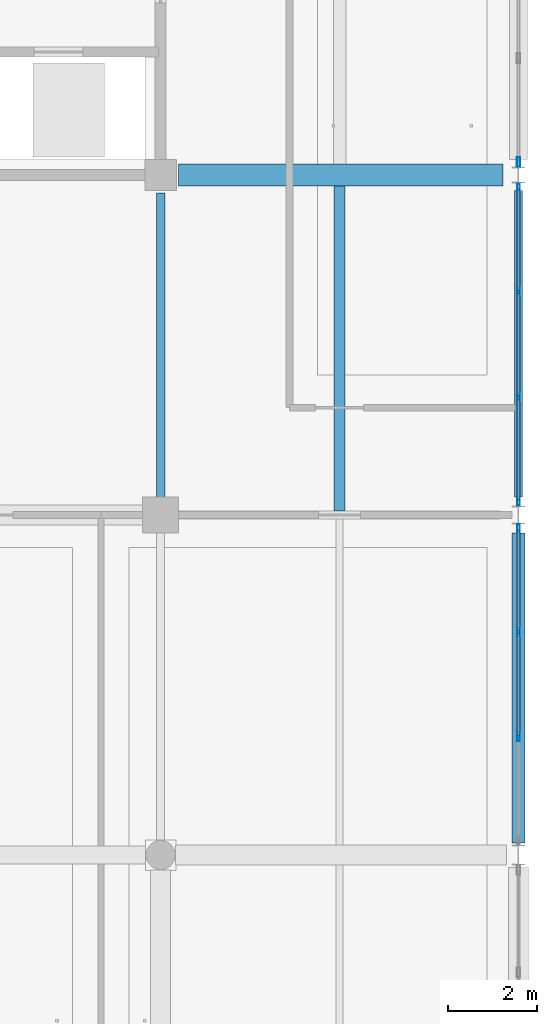
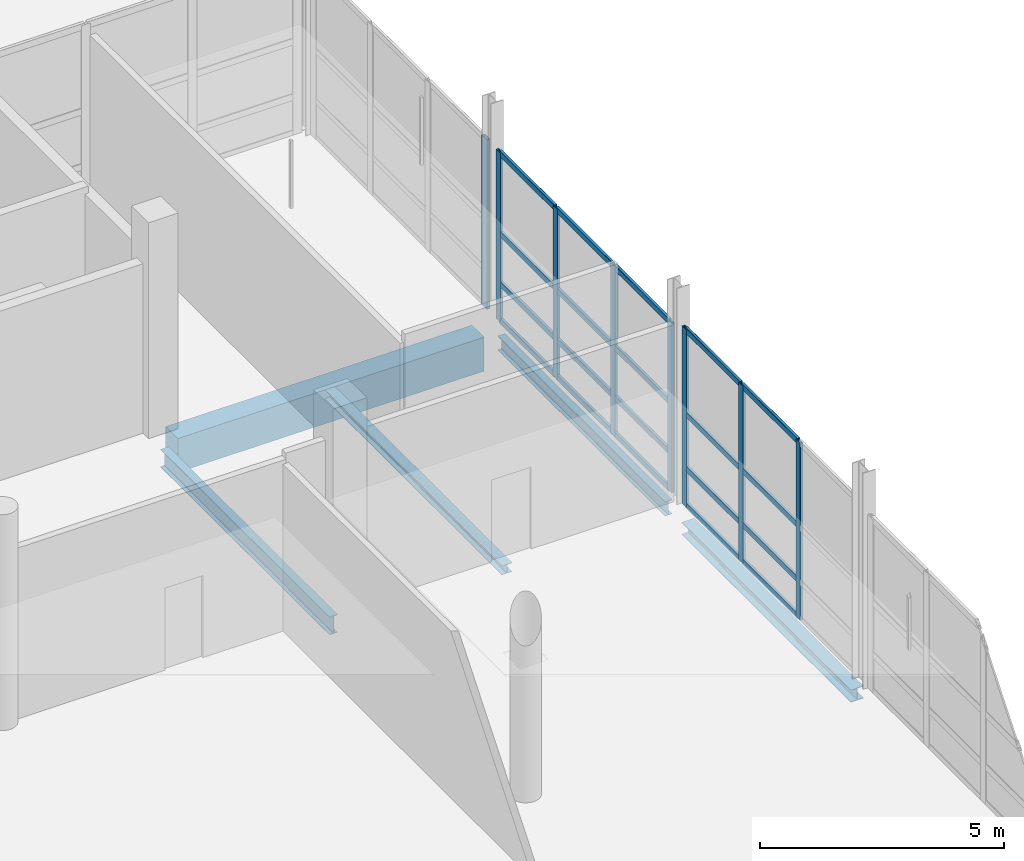
# One storey, part 42 of 126: 28 members, 5 beams, 3 elements without a shape of their own.
"""IFC4 building model written with IfcOpenShell, lengths in metres."""

from ifc_helpers import new_model, si_unit, direction, frame, origin, origin_2d, place, context, subcontext, project, spatial, rectangle, hollow_rectangle, i_section, extrude, material, material_profile, profile_set, type_object, element, aggregate, save


model = new_model("IFC4")

# Units and contexts
model_context = context("Model", 3, precision=1e-05, world=origin(), true_north=direction((0.0, 1.0)))
body_context = subcontext(model_context, "Body", "Model", "MODEL_VIEW")
ifc_project = project(units=[si_unit("LENGTHUNIT", "METRE"), si_unit("AREAUNIT", "SQUARE_METRE"), si_unit("VOLUMEUNIT", "CUBIC_METRE"), si_unit("PLANEANGLEUNIT", "RADIAN"), si_unit("MASSUNIT", "GRAM", prefix="KILO")], contexts=[model_context])

# Site, building, storey
site_placement = place(None, origin())
site = spatial("IfcSite", under=ifc_project, at=site_placement, CompositionType="ELEMENT")
building_placement = place(site_placement, origin())
building = spatial("IfcBuilding", under=site, at=building_placement, Name="Khelvaren Railside Concert Hall", CompositionType="ELEMENT")
storey_placement = place(building_placement, origin())
storey = spatial("IfcBuildingStorey", under=building, at=storey_placement, Name="L00", CompositionType="ELEMENT", Elevation=0.0)

# Beam
ifc_material_1 = material(Name="Steel S355", Category="steel")
ifc_material_profile_1 = material_profile(ifc_material_1, i_section(OverallWidth=0.18994140625, OverallDepth=0.449951171875, WebThickness=0.009521484375, FlangeThickness=0.0146484375, FilletRadius=0.02099609375, at=origin_2d()), Name="IPE 450")
ifc_profile_set_1 = profile_set([ifc_material_profile_1], Name="Steel S355")
beam_type_1 = type_object("IfcBeamType", Name="BM95", PredefinedType="BEAM", material=ifc_profile_set_1)
beam_1_placement = place(storey_placement, frame((176.0, 23.072998046875, -0.544921875), z_axis=(0.0, 1.0, 0.0), x_axis=(-1.0, 0.0, 0.0)))
element("IfcBeam", 1, at=beam_1_placement, inside=storey, type_object=beam_type_1, Name="V2 L00 Beam Y5.4", PredefinedType="BEAM", context=body_context, shape_type="SweptSolid", body=[
    extrude(i_section(OverallWidth=0.18994140625, OverallDepth=0.449951171875, WebThickness=0.009521484375, FlangeThickness=0.0146484375, FilletRadius=0.02099609375, at=origin_2d()), origin(), (0.0, 0.0, 1.0), 6.927001953125),
])

# Curtain wall, member
ifc_material_2 = material(Name="Double-glazed clear foyer glass", Category="glass")
curtain_wall_type_1 = type_object("IfcCurtainWallType", Name="CW68", PredefinedType="USERDEFINED", material=ifc_material_2)
curtain_wall_1_placement = place(storey_placement, origin())
curtain_wall_1 = element("IfcCurtainWall", 2, at=curtain_wall_1_placement, inside=storey, type_object=curtain_wall_type_1, Name="Unitised Curtain Wall CW-V2-L00-E-30", ObjectType="UNITISED CURTAIN WALL", PredefinedType="USERDEFINED")
ifc_material_3 = material(Name="Anodised architectural aluminium 6063-T6", Category="aluminium")
ifc_material_profile_2 = material_profile(ifc_material_3, hollow_rectangle(XDim=0.074951171875, YDim=0.219970703125, WallThickness=0.0048828125, InnerFilletRadius=0.0029296875, OuterFilletRadius=0.0048828125, at=origin_2d()), Name="CWM 75x220x5")
ifc_profile_set_2 = profile_set([ifc_material_profile_2], Name="Anodised architectural aluminium 6063-T6")
member_type_1 = type_object("IfcMemberType", Name="CWM13", PredefinedType="MULLION", material=ifc_profile_set_2)
member_1_placement = place(storey_placement, frame((184.0, 30.68994140625, 0.0), z_axis=(0.0, 0.0, 1.0), x_axis=(1.0, 0.0, 0.0)))
member_1 = element("IfcMember", 3, at=member_1_placement, type_object=member_type_1, Name="CW68 mullion 4", PredefinedType="MULLION", context=body_context, shape_type="SweptSolid", body=[
    extrude(hollow_rectangle(XDim=0.074951171875, YDim=0.219970703125, WallThickness=0.0048828125, InnerFilletRadius=0.0029296875, OuterFilletRadius=0.0048828125, at=origin_2d()), origin(), (0.0, 0.0, 1.0), 4.239990234375),
])
aggregate(curtain_wall_1, [member_1])

# Curtain wall, members
ifc_material_4 = material(Name="Double-glazed low-E dark acoustic glass", Category="glass")
curtain_wall_type_2 = type_object("IfcCurtainWallType", Name="CW94", PredefinedType="USERDEFINED", material=ifc_material_4)
curtain_wall_2_placement = place(storey_placement, origin())
curtain_wall_2 = element("IfcCurtainWall", 4, at=curtain_wall_2_placement, inside=storey, type_object=curtain_wall_type_2, Name="Unitised Curtain Wall CW-V2-L00-E-15", ObjectType="UNITISED CURTAIN WALL", PredefinedType="USERDEFINED")
ifc_material_profile_3 = material_profile(ifc_material_3, hollow_rectangle(XDim=0.06494140625, YDim=0.179931640625, WallThickness=0.00390625, InnerFilletRadius=0.001953125, OuterFilletRadius=0.00390625, at=origin_2d()), Name="CWM 65x180x4")
ifc_profile_set_3 = profile_set([ifc_material_profile_3], Name="Anodised architectural aluminium 6063-T6")
member_type_2 = type_object("IfcMemberType", Name="CWM63", PredefinedType="MULLION", material=ifc_profile_set_3)
member_2_placement = place(storey_placement, frame((184.0, 22.5, 0.0), z_axis=(0.0, 0.0, 1.0), x_axis=(1.0, 0.0, 0.0)))
member_2 = element("IfcMember", 5, at=member_2_placement, type_object=member_type_2, Name="CW94 mullion 1", PredefinedType="MULLION", context=body_context, shape_type="SweptSolid", body=[
    extrude(hollow_rectangle(XDim=0.06494140625, YDim=0.179931640625, WallThickness=0.00390625, InnerFilletRadius=0.001953125, OuterFilletRadius=0.00390625, at=origin_2d()), origin(), (0.0, 0.0, 1.0), 4.43994140625),
])
member_3_placement = place(storey_placement, frame((184.0, 20.185791015625, 0.0), z_axis=(0.0, 0.0, 1.0), x_axis=(1.0, 0.0, 0.0)))
member_3 = element("IfcMember", 6, at=member_3_placement, type_object=member_type_2, Name="CW94 mullion 2", PredefinedType="MULLION", context=body_context, shape_type="SweptSolid", body=[
    extrude(hollow_rectangle(XDim=0.06494140625, YDim=0.179931640625, WallThickness=0.00390625, InnerFilletRadius=0.001953125, OuterFilletRadius=0.00390625, at=origin_2d()), origin(), (0.0, 0.0, 1.0), 4.43994140625),
])
member_4_placement = place(storey_placement, frame((184.0, 17.839111328125, 0.0), z_axis=(0.0, 0.0, 1.0), x_axis=(1.0, 0.0, 0.0)))
member_4 = element("IfcMember", 7, at=member_4_placement, type_object=member_type_2, Name="CW94 mullion 3", PredefinedType="MULLION", context=body_context, shape_type="SweptSolid", body=[
    extrude(hollow_rectangle(XDim=0.06494140625, YDim=0.179931640625, WallThickness=0.00390625, InnerFilletRadius=0.001953125, OuterFilletRadius=0.00390625, at=origin_2d()), origin(), (0.0, 0.0, 1.0), 4.43994140625),
])

curtain_wall_type_3 = type_object("IfcCurtainWallType", Name="CW65", PredefinedType="USERDEFINED", material=ifc_material_4)
curtain_wall_3_placement = place(storey_placement, origin())
curtain_wall_3 = element("IfcCurtainWall", 8, at=curtain_wall_3_placement, inside=storey, type_object=curtain_wall_type_3, Name="Unitised Curtain Wall CW-V2-L00-E-23", ObjectType="UNITISED CURTAIN WALL", PredefinedType="USERDEFINED")
member_5_placement = place(storey_placement, frame((184.0, 30.1201171875, 0.0), z_axis=(0.0, 0.0, 1.0), x_axis=(1.0, 0.0, 0.0)))
member_5 = element("IfcMember", 9, at=member_5_placement, type_object=member_type_2, Name="CW65 mullion 1", PredefinedType="MULLION", context=body_context, shape_type="SweptSolid", body=[
    extrude(hollow_rectangle(XDim=0.06494140625, YDim=0.179931640625, WallThickness=0.00390625, InnerFilletRadius=0.001953125, OuterFilletRadius=0.00390625, at=origin_2d()), origin(), (0.0, 0.0, 1.0), 4.239990234375),
])
member_6_placement = place(storey_placement, frame((184.0, 27.790771484375, 0.0), z_axis=(0.0, 0.0, 1.0), x_axis=(1.0, 0.0, 0.0)))
member_6 = element("IfcMember", 10, at=member_6_placement, type_object=member_type_2, Name="CW65 mullion 2", PredefinedType="MULLION", context=body_context, shape_type="SweptSolid", body=[
    extrude(hollow_rectangle(XDim=0.06494140625, YDim=0.179931640625, WallThickness=0.00390625, InnerFilletRadius=0.001953125, OuterFilletRadius=0.00390625, at=origin_2d()), origin(), (0.0, 0.0, 1.0), 4.239990234375),
])
member_7_placement = place(storey_placement, frame((184.0, 25.42919921875, 0.0), z_axis=(0.0, 0.0, 1.0), x_axis=(1.0, 0.0, 0.0)))
member_7 = element("IfcMember", 11, at=member_7_placement, type_object=member_type_2, Name="CW65 mullion 3", PredefinedType="MULLION", context=body_context, shape_type="SweptSolid", body=[
    extrude(hollow_rectangle(XDim=0.06494140625, YDim=0.179931640625, WallThickness=0.00390625, InnerFilletRadius=0.001953125, OuterFilletRadius=0.00390625, at=origin_2d()), origin(), (0.0, 0.0, 1.0), 4.239990234375),
])
member_8_placement = place(storey_placement, frame((184.0, 23.10009765625, 0.0), z_axis=(0.0, 0.0, 1.0), x_axis=(1.0, 0.0, 0.0)))
member_8 = element("IfcMember", 12, at=member_8_placement, type_object=member_type_2, Name="CW65 mullion 4", PredefinedType="MULLION", context=body_context, shape_type="SweptSolid", body=[
    extrude(hollow_rectangle(XDim=0.06494140625, YDim=0.179931640625, WallThickness=0.00390625, InnerFilletRadius=0.001953125, OuterFilletRadius=0.00390625, at=origin_2d()), origin(), (0.0, 0.0, 1.0), 4.239990234375),
])

# Member
ifc_material_profile_4 = material_profile(ifc_material_3, hollow_rectangle(XDim=0.06494140625, YDim=0.139892578125, WallThickness=0.00390625, InnerFilletRadius=0.001953125, OuterFilletRadius=0.00390625, at=origin_2d()), Name="CWT 65x140x4")
ifc_profile_set_4 = profile_set([ifc_material_profile_4], Name="Anodised architectural aluminium 6063-T6")
member_type_3 = type_object("IfcMemberType", Name="CWT72", PredefinedType="USERDEFINED", material=ifc_profile_set_4)
member_9_placement = place(storey_placement, frame((184.0, 22.467529296875, 0.032470703125), z_axis=(0.0, -1.0, 0.0), x_axis=(1.0, 0.0, 0.0)))
member_9 = element("IfcMember", 13, at=member_9_placement, type_object=member_type_3, Name="CW94 transom 1.1", ObjectType="TRANSOM", PredefinedType="USERDEFINED", context=body_context, shape_type="SweptSolid", body=[
    extrude(hollow_rectangle(XDim=0.06494140625, YDim=0.139892578125, WallThickness=0.00390625, InnerFilletRadius=0.001953125, OuterFilletRadius=0.00390625, at=origin_2d()), origin(), (0.0, 0.0, 1.0), 2.249267578125),
])

member_10_placement = place(storey_placement, frame((184.0, 22.467529296875, 0.949951171875), z_axis=(0.0, -1.0, 0.0), x_axis=(1.0, 0.0, 0.0)))
member_10 = element("IfcMember", 14, at=member_10_placement, type_object=member_type_3, Name="CW94 transom 1.2", ObjectType="TRANSOM", PredefinedType="USERDEFINED", context=body_context, shape_type="SweptSolid", body=[
    extrude(hollow_rectangle(XDim=0.06494140625, YDim=0.139892578125, WallThickness=0.00390625, InnerFilletRadius=0.001953125, OuterFilletRadius=0.00390625, at=origin_2d()), origin(), (0.0, 0.0, 1.0), 2.249267578125),
])

member_11_placement = place(storey_placement, frame((184.0, 22.467529296875, 2.308837890625), z_axis=(0.0, -1.0, 0.0), x_axis=(1.0, 0.0, 0.0)))
member_11 = element("IfcMember", 15, at=member_11_placement, type_object=member_type_3, Name="CW94 transom 1.3", ObjectType="TRANSOM", PredefinedType="USERDEFINED", context=body_context, shape_type="SweptSolid", body=[
    extrude(hollow_rectangle(XDim=0.06494140625, YDim=0.139892578125, WallThickness=0.00390625, InnerFilletRadius=0.001953125, OuterFilletRadius=0.00390625, at=origin_2d()), origin(), (0.0, 0.0, 1.0), 2.249267578125),
])

member_12_placement = place(storey_placement, frame((184.0, 22.467529296875, 4.407470703125), z_axis=(0.0, -1.0, 0.0), x_axis=(1.0, 0.0, 0.0)))
member_12 = element("IfcMember", 16, at=member_12_placement, type_object=member_type_3, Name="CW94 transom 1.4", ObjectType="TRANSOM", PredefinedType="USERDEFINED", context=body_context, shape_type="SweptSolid", body=[
    extrude(hollow_rectangle(XDim=0.06494140625, YDim=0.139892578125, WallThickness=0.00390625, InnerFilletRadius=0.001953125, OuterFilletRadius=0.00390625, at=origin_2d()), origin(), (0.0, 0.0, 1.0), 2.249267578125),
])

member_13_placement = place(storey_placement, frame((184.0, 20.1533203125, 0.032470703125), z_axis=(0.0, -1.0, 0.0), x_axis=(1.0, 0.0, 0.0)))
member_13 = element("IfcMember", 17, at=member_13_placement, type_object=member_type_3, Name="CW94 transom 2.1", ObjectType="TRANSOM", PredefinedType="USERDEFINED", context=body_context, shape_type="SweptSolid", body=[
    extrude(hollow_rectangle(XDim=0.06494140625, YDim=0.139892578125, WallThickness=0.00390625, InnerFilletRadius=0.001953125, OuterFilletRadius=0.00390625, at=origin_2d()), origin(), (0.0, 0.0, 1.0), 2.28173828125),
])

member_14_placement = place(storey_placement, frame((184.0, 20.1533203125, 0.949951171875), z_axis=(0.0, -1.0, 0.0), x_axis=(1.0, 0.0, 0.0)))
member_14 = element("IfcMember", 18, at=member_14_placement, type_object=member_type_3, Name="CW94 transom 2.2", ObjectType="TRANSOM", PredefinedType="USERDEFINED", context=body_context, shape_type="SweptSolid", body=[
    extrude(hollow_rectangle(XDim=0.06494140625, YDim=0.139892578125, WallThickness=0.00390625, InnerFilletRadius=0.001953125, OuterFilletRadius=0.00390625, at=origin_2d()), origin(), (0.0, 0.0, 1.0), 2.28173828125),
])

member_15_placement = place(storey_placement, frame((184.0, 20.1533203125, 2.308837890625), z_axis=(0.0, -1.0, 0.0), x_axis=(1.0, 0.0, 0.0)))
member_15 = element("IfcMember", 19, at=member_15_placement, type_object=member_type_3, Name="CW94 transom 2.3", ObjectType="TRANSOM", PredefinedType="USERDEFINED", context=body_context, shape_type="SweptSolid", body=[
    extrude(hollow_rectangle(XDim=0.06494140625, YDim=0.139892578125, WallThickness=0.00390625, InnerFilletRadius=0.001953125, OuterFilletRadius=0.00390625, at=origin_2d()), origin(), (0.0, 0.0, 1.0), 2.28173828125),
])

member_16_placement = place(storey_placement, frame((184.0, 20.1533203125, 4.407470703125), z_axis=(0.0, -1.0, 0.0), x_axis=(1.0, 0.0, 0.0)))
member_16 = element("IfcMember", 20, at=member_16_placement, type_object=member_type_3, Name="CW94 transom 2.4", ObjectType="TRANSOM", PredefinedType="USERDEFINED", context=body_context, shape_type="SweptSolid", body=[
    extrude(hollow_rectangle(XDim=0.06494140625, YDim=0.139892578125, WallThickness=0.00390625, InnerFilletRadius=0.001953125, OuterFilletRadius=0.00390625, at=origin_2d()), origin(), (0.0, 0.0, 1.0), 2.28173828125),
])

aggregate(curtain_wall_2, [member_2, member_3, member_4, member_9, member_10, member_11, member_12, member_13, member_14, member_15, member_16])

member_17_placement = place(storey_placement, frame((184.0, 30.08740234375, 0.032470703125), z_axis=(0.0, -1.0, 0.0), x_axis=(1.0, 0.0, 0.0)))
member_17 = element("IfcMember", 21, at=member_17_placement, type_object=member_type_3, Name="CW65 transom 1.1", ObjectType="TRANSOM", PredefinedType="USERDEFINED", context=body_context, shape_type="SweptSolid", body=[
    extrude(hollow_rectangle(XDim=0.06494140625, YDim=0.139892578125, WallThickness=0.00390625, InnerFilletRadius=0.001953125, OuterFilletRadius=0.00390625, at=origin_2d()), origin(), (0.0, 0.0, 1.0), 2.26416015625),
])

member_18_placement = place(storey_placement, frame((184.0, 30.08740234375, 0.949951171875), z_axis=(0.0, -1.0, 0.0), x_axis=(1.0, 0.0, 0.0)))
member_18 = element("IfcMember", 22, at=member_18_placement, type_object=member_type_3, Name="CW65 transom 1.2", ObjectType="TRANSOM", PredefinedType="USERDEFINED", context=body_context, shape_type="SweptSolid", body=[
    extrude(hollow_rectangle(XDim=0.06494140625, YDim=0.139892578125, WallThickness=0.00390625, InnerFilletRadius=0.001953125, OuterFilletRadius=0.00390625, at=origin_2d()), origin(), (0.0, 0.0, 1.0), 2.26416015625),
])

member_19_placement = place(storey_placement, frame((184.0, 30.08740234375, 2.204833984375), z_axis=(0.0, -1.0, 0.0), x_axis=(1.0, 0.0, 0.0)))
member_19 = element("IfcMember", 23, at=member_19_placement, type_object=member_type_3, Name="CW65 transom 1.3", ObjectType="TRANSOM", PredefinedType="USERDEFINED", context=body_context, shape_type="SweptSolid", body=[
    extrude(hollow_rectangle(XDim=0.06494140625, YDim=0.139892578125, WallThickness=0.00390625, InnerFilletRadius=0.001953125, OuterFilletRadius=0.00390625, at=origin_2d()), origin(), (0.0, 0.0, 1.0), 2.26416015625),
])

member_20_placement = place(storey_placement, frame((184.0, 30.08740234375, 4.20751953125), z_axis=(0.0, -1.0, 0.0), x_axis=(1.0, 0.0, 0.0)))
member_20 = element("IfcMember", 24, at=member_20_placement, type_object=member_type_3, Name="CW65 transom 1.4", ObjectType="TRANSOM", PredefinedType="USERDEFINED", context=body_context, shape_type="SweptSolid", body=[
    extrude(hollow_rectangle(XDim=0.06494140625, YDim=0.139892578125, WallThickness=0.00390625, InnerFilletRadius=0.001953125, OuterFilletRadius=0.00390625, at=origin_2d()), origin(), (0.0, 0.0, 1.0), 2.26416015625),
])

member_21_placement = place(storey_placement, frame((184.0, 27.75830078125, 0.032470703125), z_axis=(0.0, -1.0, 0.0), x_axis=(1.0, 0.0, 0.0)))
member_21 = element("IfcMember", 25, at=member_21_placement, type_object=member_type_3, Name="CW65 transom 2.1", ObjectType="TRANSOM", PredefinedType="USERDEFINED", context=body_context, shape_type="SweptSolid", body=[
    extrude(hollow_rectangle(XDim=0.06494140625, YDim=0.139892578125, WallThickness=0.00390625, InnerFilletRadius=0.001953125, OuterFilletRadius=0.00390625, at=origin_2d()), origin(), (0.0, 0.0, 1.0), 2.296630859375),
])

member_22_placement = place(storey_placement, frame((184.0, 27.75830078125, 0.949951171875), z_axis=(0.0, -1.0, 0.0), x_axis=(1.0, 0.0, 0.0)))
member_22 = element("IfcMember", 26, at=member_22_placement, type_object=member_type_3, Name="CW65 transom 2.2", ObjectType="TRANSOM", PredefinedType="USERDEFINED", context=body_context, shape_type="SweptSolid", body=[
    extrude(hollow_rectangle(XDim=0.06494140625, YDim=0.139892578125, WallThickness=0.00390625, InnerFilletRadius=0.001953125, OuterFilletRadius=0.00390625, at=origin_2d()), origin(), (0.0, 0.0, 1.0), 2.296630859375),
])

member_23_placement = place(storey_placement, frame((184.0, 27.75830078125, 2.204833984375), z_axis=(0.0, -1.0, 0.0), x_axis=(1.0, 0.0, 0.0)))
member_23 = element("IfcMember", 27, at=member_23_placement, type_object=member_type_3, Name="CW65 transom 2.3", ObjectType="TRANSOM", PredefinedType="USERDEFINED", context=body_context, shape_type="SweptSolid", body=[
    extrude(hollow_rectangle(XDim=0.06494140625, YDim=0.139892578125, WallThickness=0.00390625, InnerFilletRadius=0.001953125, OuterFilletRadius=0.00390625, at=origin_2d()), origin(), (0.0, 0.0, 1.0), 2.296630859375),
])

member_24_placement = place(storey_placement, frame((184.0, 27.75830078125, 4.20751953125), z_axis=(0.0, -1.0, 0.0), x_axis=(1.0, 0.0, 0.0)))
member_24 = element("IfcMember", 28, at=member_24_placement, type_object=member_type_3, Name="CW65 transom 2.4", ObjectType="TRANSOM", PredefinedType="USERDEFINED", context=body_context, shape_type="SweptSolid", body=[
    extrude(hollow_rectangle(XDim=0.06494140625, YDim=0.139892578125, WallThickness=0.00390625, InnerFilletRadius=0.001953125, OuterFilletRadius=0.00390625, at=origin_2d()), origin(), (0.0, 0.0, 1.0), 2.296630859375),
])

member_25_placement = place(storey_placement, frame((184.0, 25.396728515625, 0.032470703125), z_axis=(0.0, -1.0, 0.0), x_axis=(1.0, 0.0, 0.0)))
member_25 = element("IfcMember", 29, at=member_25_placement, type_object=member_type_3, Name="CW65 transom 3.1", ObjectType="TRANSOM", PredefinedType="USERDEFINED", context=body_context, shape_type="SweptSolid", body=[
    extrude(hollow_rectangle(XDim=0.06494140625, YDim=0.139892578125, WallThickness=0.00390625, InnerFilletRadius=0.001953125, OuterFilletRadius=0.00390625, at=origin_2d()), origin(), (0.0, 0.0, 1.0), 2.26416015625),
])

member_26_placement = place(storey_placement, frame((184.0, 25.396728515625, 0.949951171875), z_axis=(0.0, -1.0, 0.0), x_axis=(1.0, 0.0, 0.0)))
member_26 = element("IfcMember", 30, at=member_26_placement, type_object=member_type_3, Name="CW65 transom 3.2", ObjectType="TRANSOM", PredefinedType="USERDEFINED", context=body_context, shape_type="SweptSolid", body=[
    extrude(hollow_rectangle(XDim=0.06494140625, YDim=0.139892578125, WallThickness=0.00390625, InnerFilletRadius=0.001953125, OuterFilletRadius=0.00390625, at=origin_2d()), origin(), (0.0, 0.0, 1.0), 2.26416015625),
])

member_27_placement = place(storey_placement, frame((184.0, 25.396728515625, 2.204833984375), z_axis=(0.0, -1.0, 0.0), x_axis=(1.0, 0.0, 0.0)))
member_27 = element("IfcMember", 31, at=member_27_placement, type_object=member_type_3, Name="CW65 transom 3.3", ObjectType="TRANSOM", PredefinedType="USERDEFINED", context=body_context, shape_type="SweptSolid", body=[
    extrude(hollow_rectangle(XDim=0.06494140625, YDim=0.139892578125, WallThickness=0.00390625, InnerFilletRadius=0.001953125, OuterFilletRadius=0.00390625, at=origin_2d()), origin(), (0.0, 0.0, 1.0), 2.26416015625),
])

member_28_placement = place(storey_placement, frame((184.0, 25.396728515625, 4.20751953125), z_axis=(0.0, -1.0, 0.0), x_axis=(1.0, 0.0, 0.0)))
member_28 = element("IfcMember", 32, at=member_28_placement, type_object=member_type_3, Name="CW65 transom 3.4", ObjectType="TRANSOM", PredefinedType="USERDEFINED", context=body_context, shape_type="SweptSolid", body=[
    extrude(hollow_rectangle(XDim=0.06494140625, YDim=0.139892578125, WallThickness=0.00390625, InnerFilletRadius=0.001953125, OuterFilletRadius=0.00390625, at=origin_2d()), origin(), (0.0, 0.0, 1.0), 2.26416015625),
])

aggregate(curtain_wall_3, [member_5, member_6, member_7, member_8, member_17, member_18, member_19, member_20, member_21, member_22, member_23, member_24, member_25, member_26, member_27, member_28])

# Beams
ifc_material_5 = material(Name="Concrete C40/50", Category="concrete")
ifc_material_profile_5 = material_profile(ifc_material_5, rectangle(XDim=0.5, YDim=0.85009765625, at=origin_2d()), Name="RCB 500x850")
ifc_profile_set_5 = profile_set([ifc_material_profile_5], Name="Concrete C40/50")
beam_type_2 = type_object("IfcBeamType", Name="GR96", PredefinedType="T_BEAM", material=ifc_profile_set_5)
beam_2_placement = place(storey_placement, frame((176.39990234375, 30.39990234375, -0.7451171875), z_axis=(1.0, 0.0, 0.0), x_axis=(0.0, 1.0, 0.0)))
element("IfcBeam", 33, at=beam_2_placement, inside=storey, type_object=beam_type_2, Name="V2 L00 T_Beam X5.5", PredefinedType="T_BEAM", context=body_context, shape_type="SweptSolid", body=[
    extrude(rectangle(XDim=0.5, YDim=0.85009765625, at=origin_2d()), origin(), (0.0, 0.0, 1.0), 7.25),
])
ifc_material_profile_6 = material_profile(ifc_material_1, i_section(OverallWidth=0.239990234375, OverallDepth=0.22998046875, WebThickness=0.007568359375, FlangeThickness=0.011962890625, FilletRadius=0.02099609375, at=origin_2d()), Name="HEA 240")
ifc_profile_set_6 = profile_set([ifc_material_profile_6], Name="Steel S355")
beam_type_3 = type_object("IfcBeamType", Name="JS76", PredefinedType="JOIST", material=ifc_profile_set_6)
beam_3_placement = place(storey_placement, frame((180.0, 22.889892578125, -0.43505859375), z_axis=(0.0, 1.0, 0.0), x_axis=(-1.0, 0.0, 0.0)))
element("IfcBeam", 34, at=beam_3_placement, inside=storey, type_object=beam_type_3, Name="V2 L00 Secondary Joist 5.4", PredefinedType="JOIST", context=body_context, shape_type="SweptSolid", body=[
    extrude(i_section(OverallWidth=0.239990234375, OverallDepth=0.22998046875, WebThickness=0.007568359375, FlangeThickness=0.011962890625, FilletRadius=0.02099609375, at=origin_2d()), origin(), (0.0, 0.0, 1.0), 7.260009765625),
])
ifc_material_profile_7 = material_profile(ifc_material_1, i_section(OverallWidth=0.300048828125, OverallDepth=0.31005859375, WebThickness=0.009033203125, FlangeThickness=0.015380859375, FilletRadius=0.027099609375, at=origin_2d()), Name="HEA 320")
ifc_profile_set_7 = profile_set([ifc_material_profile_7], Name="Steel S355")
beam_type_4 = type_object("IfcBeamType", Name="SP66", PredefinedType="SPANDREL", material=ifc_profile_set_7)
beam_4_placement = place(storey_placement, frame((184.0, 15.472900390625, -0.47509765625), z_axis=(0.0, 1.0, 0.0), x_axis=(-1.0, 0.0, 0.0)))
element("IfcBeam", 35, at=beam_4_placement, inside=storey, type_object=beam_type_4, Name="V2 L00 Spandrel Y6.3", PredefinedType="SPANDREL", context=body_context, shape_type="SweptSolid", body=[
    extrude(i_section(OverallWidth=0.300048828125, OverallDepth=0.31005859375, WebThickness=0.009033203125, FlangeThickness=0.015380859375, FilletRadius=0.027099609375, at=origin_2d()), origin(), (0.0, 0.0, 1.0), 6.927001953125),
])
ifc_material_profile_8 = material_profile(ifc_material_1, i_section(OverallWidth=0.169921875, OverallDepth=0.360107421875, WebThickness=0.008056640625, FlangeThickness=0.0126953125, FilletRadius=0.01806640625, at=origin_2d()), Name="IPE 360")
ifc_profile_set_8 = profile_set([ifc_material_profile_8], Name="Steel S355")
beam_type_5 = type_object("IfcBeamType", Name="SP74", PredefinedType="SPANDREL", material=ifc_profile_set_8)
beam_5_placement = place(storey_placement, frame((184.0, 23.199951171875, -0.5), z_axis=(0.0, 1.0, 0.0), x_axis=(-1.0, 0.0, 0.0)))
element("IfcBeam", 36, at=beam_5_placement, inside=storey, type_object=beam_type_5, Name="V2 L00 Spandrel Y6.4", PredefinedType="SPANDREL", context=body_context, shape_type="SweptSolid", body=[
    extrude(i_section(OverallWidth=0.169921875, OverallDepth=0.360107421875, WebThickness=0.008056640625, FlangeThickness=0.0126953125, FilletRadius=0.01806640625, at=origin_2d()), origin(), (0.0, 0.0, 1.0), 6.85009765625),
])

save(model, "model.ifc")
